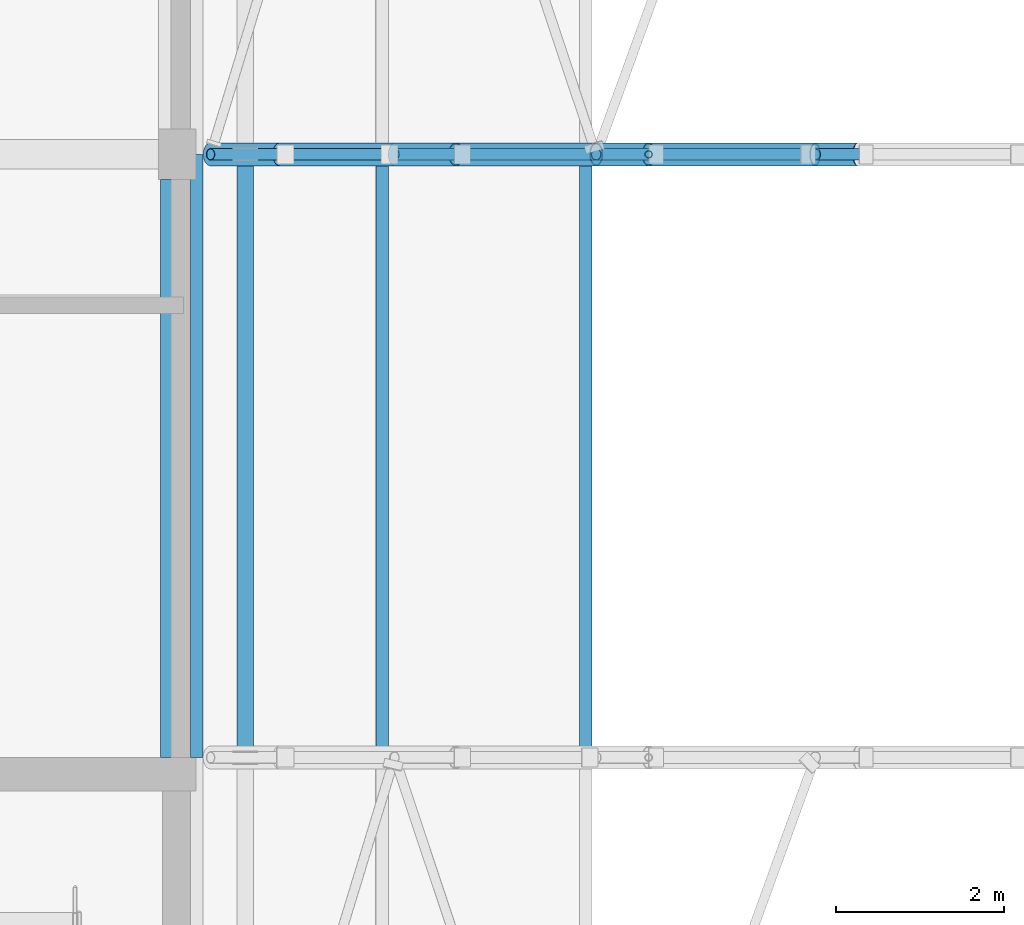
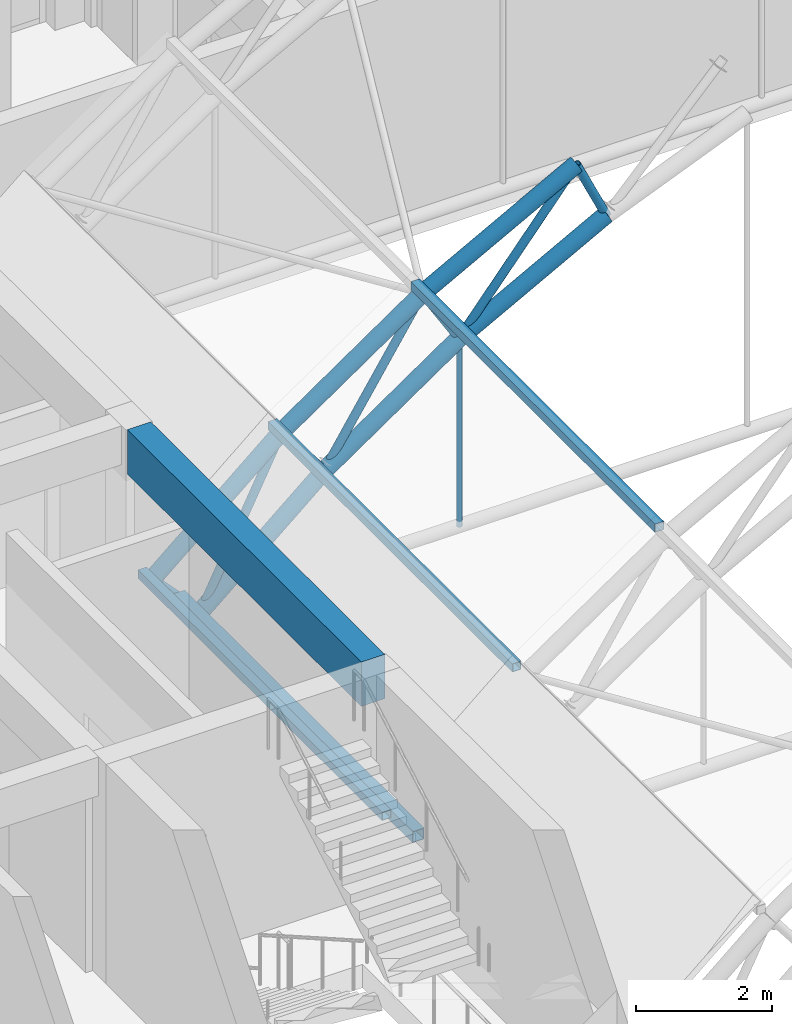
# One storey, part 6 of 101: 18 members, 1 beam.
"""IFC4 building model written with IfcOpenShell, lengths in metres."""

from ifc_helpers import new_model, si_unit, direction, frame, origin, origin_2d, place, context, subcontext, project, spatial, rectangle, hollow_rectangle, hollow_circle, extrude, material, material_profile, profile_set, type_object, element, save


model = new_model("IFC4")

# Units and contexts
model_context = context("Model", 3, precision=1e-05, world=origin(), true_north=direction((0.0, 1.0)))
body_context = subcontext(model_context, "Body", "Model", "MODEL_VIEW")
ifc_project = project(units=[si_unit("LENGTHUNIT", "METRE"), si_unit("AREAUNIT", "SQUARE_METRE"), si_unit("VOLUMEUNIT", "CUBIC_METRE"), si_unit("PLANEANGLEUNIT", "RADIAN"), si_unit("MASSUNIT", "GRAM", prefix="KILO")], contexts=[model_context])

# Site, building, storey
site_placement = place(None, origin())
site = spatial("IfcSite", under=ifc_project, at=site_placement, CompositionType="ELEMENT")
building_placement = place(site_placement, origin())
building = spatial("IfcBuilding", under=site, at=building_placement, Name="Laocheng Heights Fire and Rescue Headquarters", CompositionType="ELEMENT")
storey_placement = place(building_placement, frame((0.0, 0.0, 8.39990234375)))
storey = spatial("IfcBuildingStorey", under=building, at=storey_placement, Name="L02", CompositionType="ELEMENT", Elevation=8.39990234375)

# Members
ifc_material_1 = material(Name="Steel Q355B", Category="steel")
ifc_material_profile_1 = material_profile(ifc_material_1, hollow_circle(Radius=0.136474609375, WallThickness=0.011962890625, at=origin_2d()), Name="CHS 273x12")
ifc_profile_set_1 = profile_set([ifc_material_profile_1], Name="Steel Q355B")
member_type_1 = type_object("IfcMemberType", Name="BAY ROOF CHORD CHS 273x12", PredefinedType="CHORD", material=ifc_profile_set_1)
member_1_placement = place(storey_placement, frame((17.172119140625, 14.39990234375, 0.869140625), z_axis=(0.759780870103, 0.0, 0.650179228694), x_axis=(0.0, 1.0, 0.0)))
element("IfcMember", 1, at=member_1_placement, inside=storey, type_object=member_type_1, Name="Truss TR3 upper chord 01", PredefinedType="CHORD", context=body_context, shape_type="SweptSolid", body=[
    extrude(hollow_circle(Radius=0.136474609375, WallThickness=0.011962890625, at=origin_2d()), origin(), (0.0, 0.0, 1.0), 2.891357421875),
])
member_2_placement = place(storey_placement, frame((19.368896484375, 14.39990234375, 2.7490234375), z_axis=(0.824366402467, 0.0, 0.566056564738), x_axis=(0.0, 1.0, 0.0)))
element("IfcMember", 2, at=member_2_placement, inside=storey, type_object=member_type_1, Name="Truss TR3 upper chord 02", PredefinedType="CHORD", context=body_context, shape_type="SweptSolid", body=[
    extrude(hollow_circle(Radius=0.136474609375, WallThickness=0.011962890625, at=origin_2d()), origin(), (0.0, 0.0, 1.0), 2.918701171875),
])
member_3_placement = place(storey_placement, frame((21.77490234375, 14.39990234375, 4.401123046875), z_axis=(0.880624173368, 0.0, 0.473815433771), x_axis=(0.0, 1.0, 0.0)))
element("IfcMember", 3, at=member_3_placement, inside=storey, type_object=member_type_1, Name="Truss TR3 upper chord 03", PredefinedType="CHORD", context=body_context, shape_type="SweptSolid", body=[
    extrude(hollow_circle(Radius=0.136474609375, WallThickness=0.011962890625, at=origin_2d()), origin(), (0.0, 0.0, 1.0), 2.969482421875),
])
member_4_placement = place(storey_placement, frame((18.0, 14.39990234375, 0.0), z_axis=(0.759611792673, 0.0, 0.650376755759), x_axis=(0.0, 1.0, 0.0)))
element("IfcMember", 4, at=member_4_placement, inside=storey, type_object=member_type_1, Name="Truss TR3 lower chord 01", PredefinedType="CHORD", context=body_context, shape_type="SweptSolid", body=[
    extrude(hollow_circle(Radius=0.136474609375, WallThickness=0.011962890625, at=origin_2d()), origin(), (0.0, 0.0, 1.0), 2.7646484375),
])
member_5_placement = place(storey_placement, frame((20.10009765625, 14.39990234375, 1.798095703125), z_axis=(0.824378833686, 0.0, 0.566038460327), x_axis=(0.0, 1.0, 0.0)))
element("IfcMember", 5, at=member_5_placement, inside=storey, type_object=member_type_1, Name="Truss TR3 lower chord 02", PredefinedType="CHORD", context=body_context, shape_type="SweptSolid", body=[
    extrude(hollow_circle(Radius=0.136474609375, WallThickness=0.011962890625, at=origin_2d()), origin(), (0.0, 0.0, 1.0), 2.789794921875),
])
member_6_placement = place(storey_placement, frame((22.39990234375, 14.39990234375, 3.377197265625), z_axis=(0.880645014109, 0.0, 0.473776697532), x_axis=(0.0, 1.0, 0.0)))
element("IfcMember", 6, at=member_6_placement, inside=storey, type_object=member_type_1, Name="Truss TR3 lower chord 03", PredefinedType="CHORD", context=body_context, shape_type="SweptSolid", body=[
    extrude(hollow_circle(Radius=0.136474609375, WallThickness=0.011962890625, at=origin_2d()), origin(), (0.0, 0.0, 1.0), 2.8388671875),
])
ifc_material_2 = material(Name="Steel Q355B", Category="steel")
ifc_material_profile_2 = material_profile(ifc_material_2, hollow_circle(Radius=0.06982421875, WallThickness=0.006103515625, at=origin_2d()), Name="CHS 139.7x6")
ifc_profile_set_2 = profile_set([ifc_material_profile_2], Name="Steel Q355B")
member_type_2 = type_object("IfcMemberType", Name="BAY ROOF DIAG CHS 139.7x6", PredefinedType="BRACE", material=ifc_profile_set_2)
member_7_placement = place(storey_placement, frame((18.0, 14.39990234375, 0.0), z_axis=(0.445750218044, 0.0, 0.89515738455), x_axis=(0.0, 1.0, 0.0)))
element("IfcMember", 7, at=member_7_placement, inside=storey, type_object=member_type_2, Name="Truss diagonal TR3-01", PredefinedType="BRACE", context=body_context, shape_type="SweptSolid", body=[
    extrude(hollow_circle(Radius=0.06982421875, WallThickness=0.006103515625, at=origin_2d()), origin(), (0.0, 0.0, 1.0), 3.071044921875),
])
member_8_placement = place(storey_placement, frame((20.10009765625, 14.39990234375, 1.798095703125), z_axis=(0.541084441546, 0.0, 0.840968267604), x_axis=(0.0, 1.0, 0.0)))
element("IfcMember", 8, at=member_8_placement, inside=storey, type_object=member_type_2, Name="Truss diagonal TR3-02", PredefinedType="BRACE", context=body_context, shape_type="SweptSolid", body=[
    extrude(hollow_circle(Radius=0.06982421875, WallThickness=0.006103515625, at=origin_2d()), origin(), (0.0, 0.0, 1.0), 3.09521484375),
])
member_9_placement = place(storey_placement, frame((22.39990234375, 14.39990234375, 3.377197265625), z_axis=(0.633440900174, 0.0, 0.773791073861), x_axis=(0.0, 1.0, 0.0)))
element("IfcMember", 9, at=member_9_placement, inside=storey, type_object=member_type_2, Name="Truss diagonal TR3-03", PredefinedType="BRACE", context=body_context, shape_type="SweptSolid", body=[
    extrude(hollow_circle(Radius=0.06982421875, WallThickness=0.006103515625, at=origin_2d()), origin(), (0.0, 0.0, 1.0), 3.1416015625),
])
ifc_material_3 = material(Name="Steel Q355B", Category="steel")
ifc_material_profile_3 = material_profile(ifc_material_3, hollow_rectangle(XDim=0.199951171875, YDim=0.199951171875, WallThickness=0.008056640625, at=origin_2d()), Name="SHS 200x200x8")
ifc_profile_set_3 = profile_set([ifc_material_profile_3], Name="Steel Q355B")
member_type_3 = type_object("IfcMemberType", Name="BAY ROOF EAVES SHS 200x200x8", PredefinedType="STRUT", material=ifc_profile_set_3)
member_10_placement = place(storey_placement, frame((17.5859375, 7.269775390625, 0.4345703125), z_axis=(0.0, 1.0, 0.0), x_axis=(-1.0, 0.0, 0.0)))
element("IfcMember", 10, at=member_10_placement, inside=storey, type_object=member_type_3, Name="Eaves strut W2", PredefinedType="STRUT", context=body_context, shape_type="SweptSolid", body=[
    extrude(hollow_rectangle(XDim=0.199951171875, YDim=0.199951171875, WallThickness=0.008056640625, at=origin_2d()), origin(), (0.0, 0.0, 1.0), 7.060302734375),
])
ifc_material_4 = material(Name="Steel Q355B", Category="steel")
ifc_material_profile_4 = material_profile(ifc_material_4, hollow_circle(Radius=0.04443359375, WallThickness=0.0048828125, at=origin_2d()), Name="CHS 88.9x5")
ifc_profile_set_4 = profile_set([ifc_material_profile_4], Name="Steel Q355B")
member_type_4 = type_object("IfcMemberType", Name="BAY ROOF HANGER CHS 88.9x5", PredefinedType="POST", material=ifc_profile_set_4)
member_11_placement = place(storey_placement, frame((22.39990234375, 14.39990234375, 0.0), z_axis=(0.0, 0.0, 1.0), x_axis=(1.0, 0.0, 0.0)))
element("IfcMember", 11, at=member_11_placement, inside=storey, type_object=member_type_4, Name="Truss TR3 hanger 02", PredefinedType="POST", context=body_context, shape_type="SweptSolid", body=[
    extrude(hollow_circle(Radius=0.04443359375, WallThickness=0.0048828125, at=origin_2d()), origin(), (0.0, 0.0, 1.0), 3.377197265625),
])
ifc_material_5 = material(Name="Steel Q355B", Category="steel")
ifc_material_profile_5 = material_profile(ifc_material_5, hollow_circle(Radius=0.06982421875, WallThickness=0.006103515625, at=origin_2d()), Name="CHS 139.7x6")
ifc_profile_set_5 = profile_set([ifc_material_profile_5], Name="Steel Q355B")
member_type_5 = type_object("IfcMemberType", Name="BAY ROOF POST CHS 139.7x6", PredefinedType="POST", material=ifc_profile_set_5)
member_12_placement = place(storey_placement, frame((18.0, 14.39990234375, 0.0), z_axis=(-0.689711037364, 0.0, 0.72408472221), x_axis=(0.0, -1.0, 0.0)))
element("IfcMember", 12, at=member_12_placement, inside=storey, type_object=member_type_5, Name="Truss TR3 radial post 00", PredefinedType="POST", context=body_context, shape_type="SweptSolid", body=[
    extrude(hollow_circle(Radius=0.06982421875, WallThickness=0.006103515625, at=origin_2d()), origin(), (0.0, 0.0, 1.0), 1.200439453125),
])
member_13_placement = place(storey_placement, frame((20.10009765625, 14.39990234375, 1.798095703125), z_axis=(-0.609563212164, 0.0, 0.792737466237), x_axis=(0.0, -1.0, 0.0)))
element("IfcMember", 13, at=member_13_placement, inside=storey, type_object=member_type_5, Name="Truss TR3 radial post 01", PredefinedType="POST", context=body_context, shape_type="SweptSolid", body=[
    extrude(hollow_circle(Radius=0.06982421875, WallThickness=0.006103515625, at=origin_2d()), origin(), (0.0, 0.0, 1.0), 1.199462890625),
])
for number, where, z_axis, x_axis, name in (
    (14, (22.39990234375, 14.39990234375, 3.377197265625), (-0.521005401076, 0.0, 0.853553379731), (0.0, -1.0, 0.0), "Truss TR3 radial post 02"),
    (15, (24.89990234375, 14.39990234375, 4.72216796875), (-0.425101107328, 0.0, 0.90514587142), (0.0, -1.0, 0.0), "Truss TR3 radial post 03"),
):
    element("IfcMember", number, at=place(storey_placement, frame(where, z_axis=z_axis, x_axis=x_axis)), inside=storey, type_object=member_type_5, Name=name, PredefinedType="POST", context=body_context, shape_type="SweptSolid", body=[
        extrude(hollow_circle(Radius=0.06982421875, WallThickness=0.006103515625, at=origin_2d()), origin(), (0.0, 0.0, 1.0), 1.19970703125),
    ])
ifc_material_6 = material(Name="Steel Q355B", Category="steel")
ifc_material_profile_6 = material_profile(ifc_material_6, hollow_rectangle(XDim=0.14990234375, YDim=0.14990234375, WallThickness=0.008056640625, at=origin_2d()), Name="SHS 150x150x8")
ifc_profile_set_6 = profile_set([ifc_material_profile_6], Name="Steel Q355B")
member_type_6 = type_object("IfcMemberType", Name="BAY ROOF PURLIN SHS 150x150x8", PredefinedType="PURLIN", material=ifc_profile_set_6)
for number, where, z_axis, x_axis, name in (
    (16, (17.00439453125, 7.199951171875, 1.045166015625), (0.0, 1.0, 0.0), (-1.0, 0.0, 0.0), "Purlin 1.2"),
    (17, (19.221435546875, 7.199951171875, 2.941162109375), (0.0, 1.0, 0.0), (-1.0, 0.0, 0.0), "Purlin 2.2"),
    (18, (21.64990234375, 7.199951171875, 4.60595703125), (0.0, 1.0, 0.0), (-1.0, 0.0, 0.0), "Purlin 3.2"),
):
    element("IfcMember", number, at=place(storey_placement, frame(where, z_axis=z_axis, x_axis=x_axis)), inside=storey, type_object=member_type_6, Name=name, PredefinedType="PURLIN", context=body_context, shape_type="SweptSolid", body=[
        extrude(hollow_rectangle(XDim=0.14990234375, YDim=0.14990234375, WallThickness=0.008056640625, at=origin_2d()), origin(), (0.0, 0.0, 1.0), 7.199951171875),
    ])

# Beam
ifc_material_7 = material(Name="Concrete C40", Category="concrete")
ifc_material_profile_7 = material_profile(ifc_material_7, rectangle(XDim=0.39990234375, YDim=0.800048828125, at=origin_2d()), Name="RC BEAM 400x800 PAVILION ROOF")
ifc_profile_set_7 = profile_set([ifc_material_profile_7], Name="Concrete C40")
beam_type = type_object("IfcBeamType", Name="RC BEAM 400x800 PAVILION ROOF", PredefinedType="BEAM", material=ifc_profile_set_7)
beam_placement = place(storey_placement, frame((16.77490234375, 7.199951171875, 3.550048828125), z_axis=(0.0, 1.0, 0.0), x_axis=(-1.0, 0.0, 0.0)))
element("IfcBeam", 19, at=beam_placement, inside=storey, type_object=beam_type, Name="Pavilion beam", PredefinedType="BEAM", context=body_context, shape_type="SweptSolid", body=[
    extrude(rectangle(XDim=0.39990234375, YDim=0.800048828125, at=origin_2d()), origin(), (0.0, 0.0, 1.0), 6.900146484375),
])

save(model, "model.ifc")
